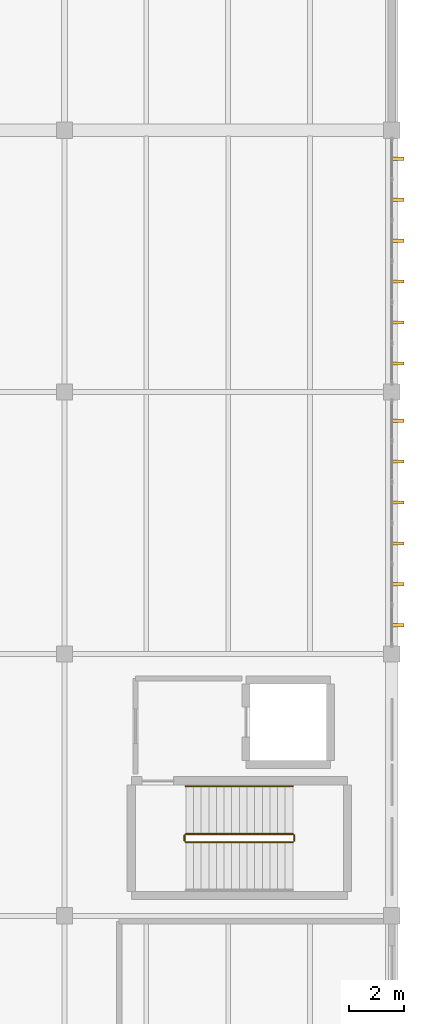
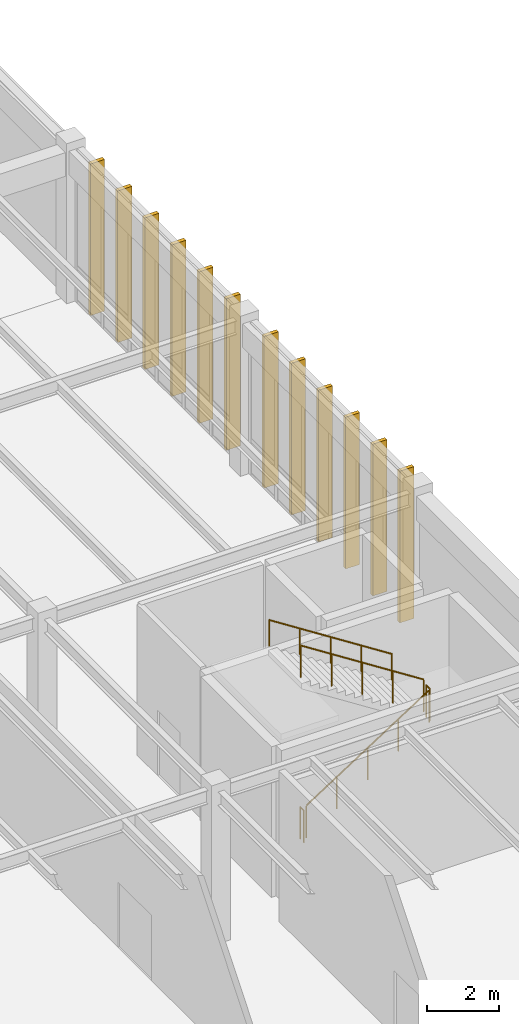
# One storey, part 186 of 188: 12 shading devices, 5 railings.
"""IFC4 building model written with IfcOpenShell, lengths in metres."""

from ifc_helpers import new_model, si_unit, direction, frame, origin, origin_2d, place, context, subcontext, project, spatial, rectangle, circle, extrude, material, type_object, element, save


model = new_model("IFC4")

# Units and contexts
model_context = context("Model", 3, precision=1e-05, world=origin(), true_north=direction((0.0, 1.0)))
body_context = subcontext(model_context, "Body", "Model", "MODEL_VIEW")
ifc_project = project(units=[si_unit("LENGTHUNIT", "METRE"), si_unit("AREAUNIT", "SQUARE_METRE"), si_unit("VOLUMEUNIT", "CUBIC_METRE"), si_unit("PLANEANGLEUNIT", "RADIAN"), si_unit("MASSUNIT", "GRAM", prefix="KILO")], contexts=[model_context])

# Site, building, storey
site_placement = place(None, origin())
site = spatial("IfcSite", under=ifc_project, at=site_placement, CompositionType="ELEMENT")
building_placement = place(site_placement, origin())
building = spatial("IfcBuilding", under=site, at=building_placement, Name="Pandanus Reach Market Hall", CompositionType="ELEMENT")
storey_placement = place(building_placement, origin())
storey = spatial("IfcBuildingStorey", under=building, at=storey_placement, Name="L00", CompositionType="ELEMENT", Elevation=0.0)

# Shading devices
ifc_material_1 = material(Name="Precast concrete S50 (50 MPa)", Category="concrete")
shading_device_type = type_object("IfcShadingDeviceType", Name="FN-S50-450", PredefinedType="JALOUSIE", material=ifc_material_1)
for number, where, z_axis, x_axis, name in (
    (1, (180.219970703125, 77.85009765625, -0.010009765625), (0.0, 0.0, 1.0), (1.0, 0.0, 0.0), "Precast brise-soleil fin 279"),
    (2, (180.219970703125, 79.35009765625, -0.010009765625), (0.0, 0.0, 1.0), (1.0, 0.0, 0.0), "Precast brise-soleil fin 280"),
    (3, (180.219970703125, 80.85009765625, -0.010009765625), (0.0, 0.0, 1.0), (1.0, 0.0, 0.0), "Precast brise-soleil fin 281"),
    (4, (180.219970703125, 82.35009765625, -0.010009765625), (0.0, 0.0, 1.0), (1.0, 0.0, 0.0), "Precast brise-soleil fin 282"),
    (5, (180.219970703125, 83.85009765625, -0.010009765625), (0.0, 0.0, 1.0), (1.0, 0.0, 0.0), "Precast brise-soleil fin 283"),
    (6, (180.219970703125, 85.35009765625, -0.010009765625), (0.0, 0.0, 1.0), (1.0, 0.0, 0.0), "Precast brise-soleil fin 284"),
    (7, (180.219970703125, 87.449951171875, -0.010009765625), (0.0, 0.0, 1.0), (1.0, 0.0, 0.0), "Precast brise-soleil fin 285"),
    (8, (180.219970703125, 88.949951171875, -0.010009765625), (0.0, 0.0, 1.0), (1.0, 0.0, 0.0), "Precast brise-soleil fin 286"),
    (9, (180.219970703125, 90.449951171875, -0.010009765625), (0.0, 0.0, 1.0), (1.0, 0.0, 0.0), "Precast brise-soleil fin 287"),
    (10, (180.219970703125, 91.949951171875, -0.010009765625), (0.0, 0.0, 1.0), (1.0, 0.0, 0.0), "Precast brise-soleil fin 288"),
    (11, (180.219970703125, 93.449951171875, -0.010009765625), (0.0, 0.0, 1.0), (1.0, 0.0, 0.0), "Precast brise-soleil fin 289"),
    (12, (180.219970703125, 94.949951171875, -0.010009765625), (0.0, 0.0, 1.0), (1.0, 0.0, 0.0), "Precast brise-soleil fin 290"),
):
    element("IfcShadingDevice", number, at=place(storey_placement, frame(where, z_axis=z_axis, x_axis=x_axis)), inside=storey, type_object=shading_device_type, Name=name, PredefinedType="JALOUSIE", context=body_context, shape_type="SweptSolid", body=[
        extrude(rectangle(XDim=0.449951171875, YDim=0.1201171875, at=origin_2d()), origin(), (0.0, 0.0, 1.0), 5.1201171875),
    ])

# Railings
ifc_material_2 = material(Name="Galvanised steel Grade 350 (350 MPa)", Category="steel")
railing_type_1 = type_object("IfcRailingType", Name="GR-INT-110", PredefinedType="GUARDRAIL", material=ifc_material_2)
railing_1_placement = place(storey_placement, frame((172.449951171875, 69.89990234375, 0.179931640625)))
element("IfcRailing", 13, at=railing_1_placement, inside=storey, type_object=railing_type_1, Name="Stair guard ST-02 L00.38", PredefinedType="GUARDRAIL", context=body_context, shape_type="SweptSolid", body=[
    extrude(circle(Radius=0.02392578125, at=origin_2d()), frame((0.0, 0.0, 1.076171875), z_axis=(0.841186985886, 0.0, 0.540744352514), x_axis=(0.0, 1.0, 0.0)), (0.0, 0.0, 1.0), 4.660400390625),
    extrude(circle(Radius=0.02099609375, at=origin_2d()), origin(), (0.0, 0.0, 1.0), 1.052001953125),
    extrude(circle(Radius=0.02099609375, at=origin_2d()), frame((0.97998046875, 0.0, 0.6298828125)), (0.0, 0.0, 1.0), 1.052001953125),
    extrude(circle(Radius=0.02099609375, at=origin_2d()), frame((1.9599609375, 0.0, 1.260009765625)), (0.0, 0.0, 1.0), 1.052001953125),
    extrude(circle(Radius=0.02099609375, at=origin_2d()), frame((2.940185546875, 0.0, 1.89013671875)), (0.0, 0.0, 1.0), 1.052001953125),
    extrude(circle(Radius=0.02099609375, at=origin_2d()), frame((3.920166015625, 0.0, 2.52001953125)), (0.0, 0.0, 1.0), 1.052001953125),
])
railing_2_placement = place(storey_placement, frame((176.419921875, 69.949951171875, 2.699951171875)))
element("IfcRailing", 14, at=railing_2_placement, inside=storey, type_object=railing_type_1, Name="Stair guard ST-02 L00.39", PredefinedType="GUARDRAIL", context=body_context, shape_type="SweptSolid", body=[
    extrude(circle(Radius=0.02392578125, at=origin_2d()), frame((0.0, 0.0, 1.076171875), z_axis=(0.0, 1.0, 0.0), x_axis=(-1.0, 0.0, 0.0)), (0.0, 0.0, 1.0), 0.199951171875),
    extrude(circle(Radius=0.02099609375, at=origin_2d()), origin(), (0.0, 0.0, 1.0), 1.052001953125),
    extrude(circle(Radius=0.02099609375, at=origin_2d()), frame((0.0, 0.199951171875, 0.0)), (0.0, 0.0, 1.0), 1.052001953125),
])
railing_3_placement = place(storey_placement, frame((176.3701171875, 70.199951171875, 2.8798828125)))
element("IfcRailing", 15, at=railing_3_placement, inside=storey, type_object=railing_type_1, Name="Stair guard ST-02 L00.40", PredefinedType="GUARDRAIL", context=body_context, shape_type="SweptSolid", body=[
    extrude(circle(Radius=0.02392578125, at=origin_2d()), frame((0.0, 0.0, 1.076171875), z_axis=(-0.841186985886, 0.0, 0.540744352514), x_axis=(0.0, -1.0, 0.0)), (0.0, 0.0, 1.0), 4.660400390625),
    extrude(circle(Radius=0.02099609375, at=origin_2d()), origin(), (0.0, 0.0, 1.0), 1.052001953125),
    extrude(circle(Radius=0.02099609375, at=origin_2d()), frame((-0.97998046875, 0.0, 0.6298828125)), (0.0, 0.0, 1.0), 1.052001953125),
    extrude(circle(Radius=0.02099609375, at=origin_2d()), frame((-1.9599609375, 0.0, 1.260009765625)), (0.0, 0.0, 1.0), 1.052001953125),
    extrude(circle(Radius=0.02099609375, at=origin_2d()), frame((-2.940185546875, 0.0, 1.89013671875)), (0.0, 0.0, 1.0), 1.052001953125),
    extrude(circle(Radius=0.02099609375, at=origin_2d()), frame((-3.920166015625, 0.0, 2.52001953125)), (0.0, 0.0, 1.0), 1.052001953125),
])
railing_4_placement = place(storey_placement, frame((172.39990234375, 69.949951171875, 0.0)))
element("IfcRailing", 16, at=railing_4_placement, inside=storey, type_object=railing_type_1, Name="Stair guard ST-02 L00.41", PredefinedType="GUARDRAIL", context=body_context, shape_type="SweptSolid", body=[
    extrude(circle(Radius=0.02392578125, at=origin_2d()), frame((0.0, 0.0, 1.076171875), z_axis=(0.0, 1.0, 0.0), x_axis=(-1.0, 0.0, 0.0)), (0.0, 0.0, 1.0), 0.199951171875),
    extrude(circle(Radius=0.02099609375, at=origin_2d()), origin(), (0.0, 0.0, 1.0), 1.052001953125),
    extrude(circle(Radius=0.02099609375, at=origin_2d()), frame((0.0, 0.199951171875, 0.0)), (0.0, 0.0, 1.0), 1.052001953125),
])
ifc_material_3 = material(Name="Brushed stainless steel", Category="steel")
railing_type_2 = type_object("IfcRailingType", Name="HR-WAL-090", PredefinedType="HANDRAIL", material=ifc_material_3)
railing_5_placement = place(storey_placement, frame((176.3701171875, 71.949951171875, 2.8798828125)))
element("IfcRailing", 17, at=railing_5_placement, inside=storey, type_object=railing_type_2, Name="Stair handrail ST-02 L00.43", PredefinedType="HANDRAIL", context=body_context, shape_type="SweptSolid", body=[
    extrude(circle(Radius=0.02392578125, at=origin_2d()), frame((0.0, 0.0, 0.8759765625), z_axis=(-0.841186985886, 0.0, 0.540744352514), x_axis=(0.0, -1.0, 0.0)), (0.0, 0.0, 1.0), 4.660400390625),
    extrude(circle(Radius=0.02099609375, at=origin_2d()), origin(), (0.0, 0.0, 1.0), 0.851806640625),
    extrude(circle(Radius=0.02099609375, at=origin_2d()), frame((-0.97998046875, 0.0, 0.6298828125)), (0.0, 0.0, 1.0), 0.851806640625),
    extrude(circle(Radius=0.02099609375, at=origin_2d()), frame((-1.9599609375, 0.0, 1.260009765625)), (0.0, 0.0, 1.0), 0.851806640625),
    extrude(circle(Radius=0.02099609375, at=origin_2d()), frame((-2.940185546875, 0.0, 1.89013671875)), (0.0, 0.0, 1.0), 0.851806640625),
    extrude(circle(Radius=0.02099609375, at=origin_2d()), frame((-3.920166015625, 0.0, 2.52001953125)), (0.0, 0.0, 1.0), 0.851806640625),
])

save(model, "model.ifc")
